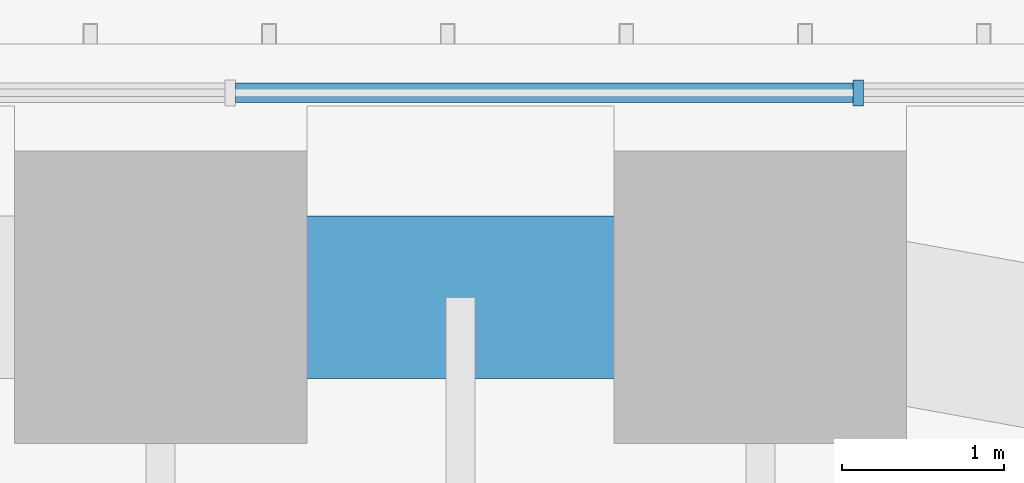
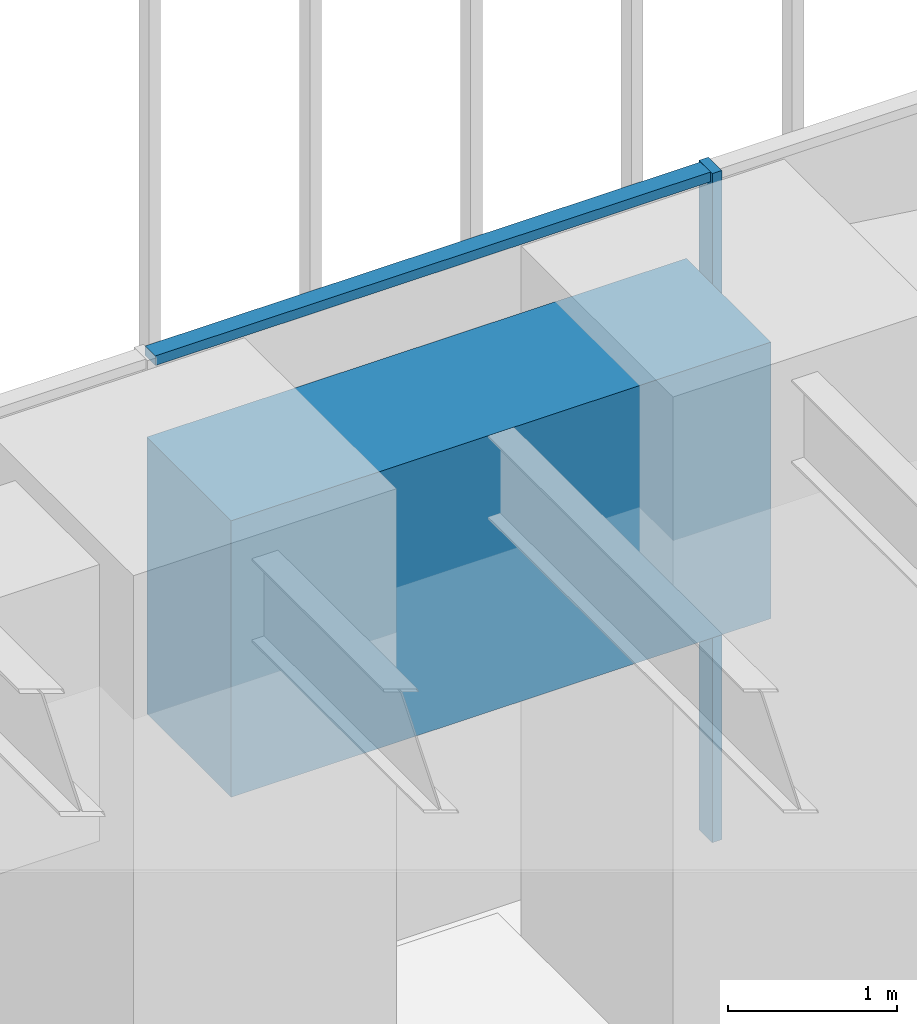
# One storey, part 209 of 228: 2 members, 1 beam, 1 element without a shape of its own.
"""IFC4 building model written with IfcOpenShell, lengths in metres."""

from ifc_helpers import new_model, si_unit, direction, frame, origin, origin_2d, place, context, subcontext, project, spatial, rectangle, extrude, material, material_profile, profile_set, type_object, element, aggregate, save


model = new_model("IFC4")

# Units and contexts
model_context = context("Model", 3, precision=1e-05, world=origin(), true_north=direction((0.0, 1.0)))
body_context = subcontext(model_context, "Body", "Model", "MODEL_VIEW")
ifc_project = project(units=[si_unit("LENGTHUNIT", "METRE"), si_unit("AREAUNIT", "SQUARE_METRE"), si_unit("VOLUMEUNIT", "CUBIC_METRE"), si_unit("PLANEANGLEUNIT", "RADIAN"), si_unit("MASSUNIT", "GRAM", prefix="KILO")], contexts=[model_context])

# Site, building, storey
site_placement = place(None, origin())
site = spatial("IfcSite", under=ifc_project, at=site_placement, CompositionType="ELEMENT")
building_placement = place(site_placement, origin())
building = spatial("IfcBuilding", under=site, at=building_placement, Name="Sandreach Pilgrim Tower", CompositionType="ELEMENT")
storey_placement = place(building_placement, frame((0.0, 0.0, 178.199951171875)))
storey = spatial("IfcBuildingStorey", under=building, at=storey_placement, Name="L44", CompositionType="ELEMENT", Elevation=178.199951171875)

# Curtain wall, members
ifc_material_1 = material(Name="Aluminium framed curtain wall", Category="aluminium")
curtain_wall_type = type_object("IfcCurtainWallType", Name="Upper hotel tower curtain wall", PredefinedType="NOTDEFINED", material=ifc_material_1)
curtain_wall_placement = place(storey_placement, origin())
curtain_wall = element("IfcCurtainWall", 1, at=curtain_wall_placement, inside=storey, type_object=curtain_wall_type, Name="CW-3 L44 N", PredefinedType="NOTDEFINED")
ifc_material_2 = material(Name="Aluminium extrusion", Category="aluminium")
ifc_material_profile_1 = material_profile(ifc_material_2, rectangle(XDim=0.06494140625, YDim=0.159912109375, at=origin_2d()), Name="CW-3M 65X160")
ifc_profile_set_1 = profile_set([ifc_material_profile_1], Name="Aluminium extrusion")
member_type_1 = type_object("IfcMemberType", Name="CW-3 mullion", PredefinedType="MULLION", material=ifc_profile_set_1)
member_1_placement = place(storey_placement, frame((13.525390625, 21.16015625, 0.0), z_axis=(0.0, 0.0, 1.0), x_axis=(1.0, 0.0, 0.0)))
member_1 = element("IfcMember", 2, at=member_1_placement, type_object=member_type_1, Name="CW-3 mullion 9", PredefinedType="MULLION", context=body_context, shape_type="SweptSolid", body=[
    extrude(rectangle(XDim=0.06494140625, YDim=0.159912109375, at=origin_2d()), origin(), (0.0, 0.0, 1.0), 4.840087890625),
])
ifc_material_3 = material(Name="Aluminium extrusion", Category="aluminium")
ifc_material_profile_2 = material_profile(ifc_material_3, rectangle(XDim=0.1201171875, YDim=0.070068359375, at=origin_2d()), Name="CW-3T 120X70")
ifc_profile_set_2 = profile_set([ifc_material_profile_2], Name="Aluminium extrusion")
member_type_2 = type_object("IfcMemberType", Name="CW-3 transom", PredefinedType="USERDEFINED", material=ifc_profile_set_2)
member_2_placement = place(storey_placement, frame((9.693603515625, 21.16015625, 4.804931640625), z_axis=(1.0, 0.0, 0.0), x_axis=(0.0, 1.0, 0.0)))
member_2 = element("IfcMember", 3, at=member_2_placement, type_object=member_type_2, Name="CW-3 head transom 8", ObjectType="TRANSOM", PredefinedType="USERDEFINED", context=body_context, shape_type="SweptSolid", body=[
    extrude(rectangle(XDim=0.1201171875, YDim=0.070068359375, at=origin_2d()), origin(), (0.0, 0.0, 1.0), 3.79931640625),
])
aggregate(curtain_wall, [member_1, member_2])

# Beam
ifc_material_4 = material(Name="Concrete 10000 psi", Category="concrete")
ifc_material_profile_3 = material_profile(ifc_material_4, rectangle(XDim=1.0, YDim=2.0, at=origin_2d()), Name="RC1000X2000")
ifc_profile_set_3 = profile_set([ifc_material_profile_3], Name="Concrete 10000 psi")
beam_type = type_object("IfcBeamType", Name="Spandrel beam RC1000X2000", PredefinedType="SPANDREL", material=ifc_profile_set_3)
beam_placement = place(storey_placement, frame((9.231201171875, 19.900146484375, 3.840087890625), z_axis=(1.0, 0.0, 0.0), x_axis=(0.0, 1.0, 0.0)))
element("IfcBeam", 4, at=beam_placement, inside=storey, type_object=beam_type, Name="BM L44 SP07", PredefinedType="SPANDREL", context=body_context, shape_type="SweptSolid", body=[
    extrude(rectangle(XDim=1.0, YDim=2.0, at=origin_2d()), origin(), (0.0, 0.0, 1.0), 3.692626953125),
])

save(model, "model.ifc")
